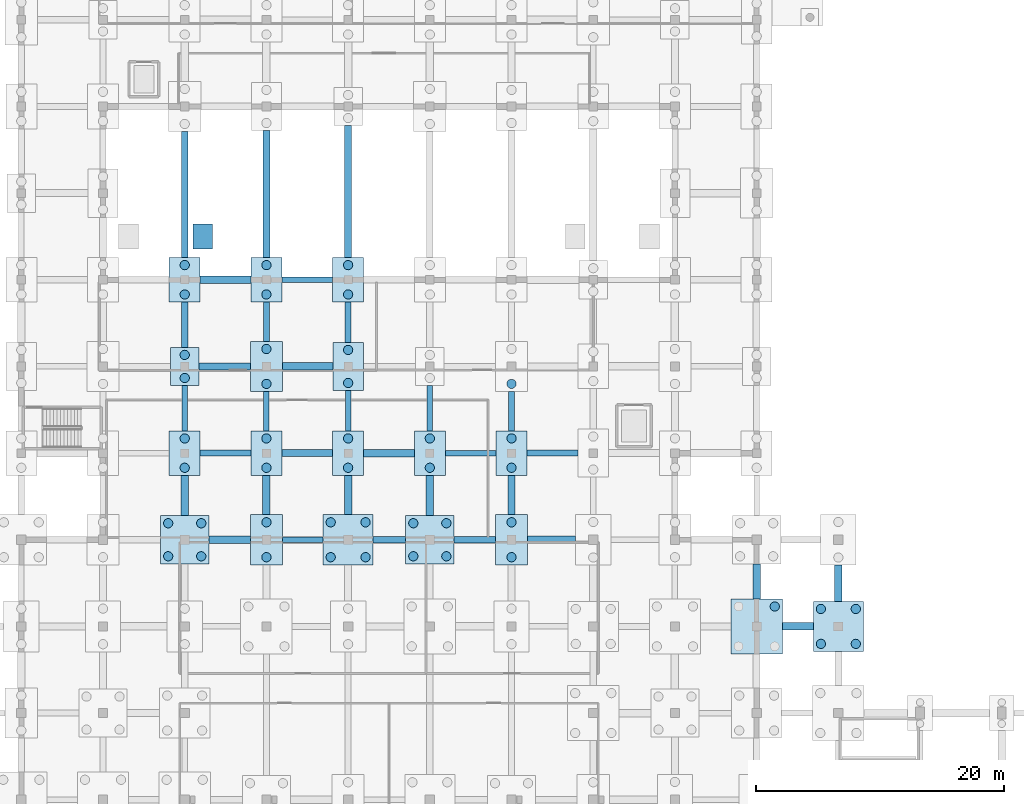
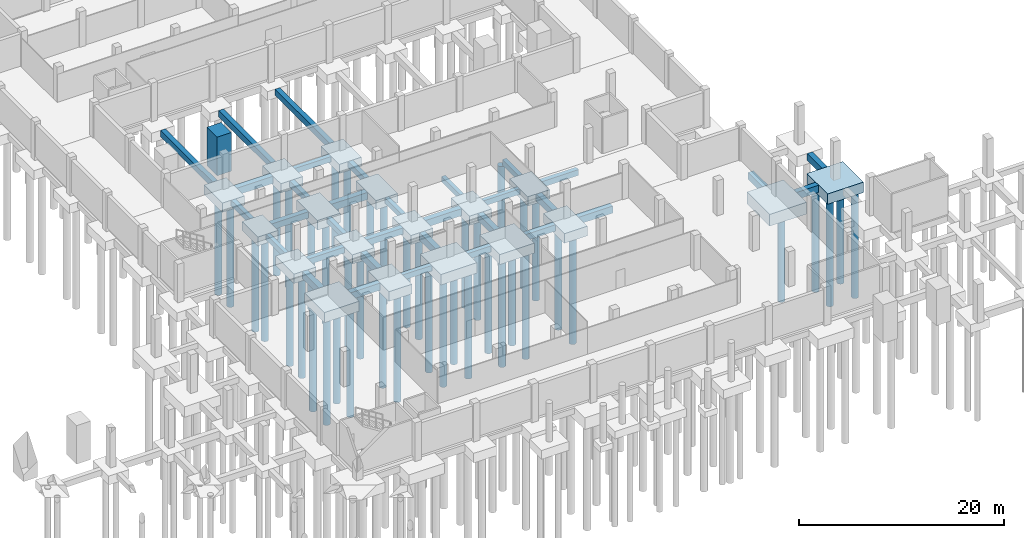
# One storey, part 6 of 27: 52 footings, 44 piles.
"""IFC4 building model written with IfcOpenShell, lengths in metres."""

import ifcopenshell
import ifcopenshell.guid

model = None  # the IFC model being written
_history = None  # IfcOwnerHistory: only IFC2X3 demands one
_inside = {}  # id of a spatial element -> (the spatial element, [elements in it])
_under = {}  # id of a project, library or spatial element -> (it, [spatial elements below it])
_declared = {}  # id of a project -> (the project, [libraries it declares])
_typed = {}  # id of a type object -> (the type object, [elements of that type])
_made_of = {}  # id of a material, layer set ... -> (it, [elements and type objects made of it])


def new_model(schema):
    """Start an empty IFC model of exactly this schema.

    Asked for "IFC4X3", IfcOpenShell would pick the latest addendum, in which some entities
    have other attributes; the version numbers below select the first issue.
    IFC2X3 requires an IfcOwnerHistory on every rooted entity: one is made here for all.
    """
    global model, _history
    if schema == "IFC4X3":
        model = ifcopenshell.file(schema_version=(4, 3, 0, 0))
    else:
        model = ifcopenshell.file(schema=schema)
    _inside.clear()
    _under.clear()
    _declared.clear()
    _typed.clear()
    _made_of.clear()
    _history = None
    if model.schema == "IFC2X3":
        org = make("IfcOrganization", Name="unknown")
        user = make(
            "IfcPersonAndOrganization",
            ThePerson=make("IfcPerson", FamilyName="unknown"),
            TheOrganization=org,
        )
        app = make(
            "IfcApplication",
            ApplicationDeveloper=org,
            Version="unknown",
            ApplicationFullName="unknown",
            ApplicationIdentifier="unknown",
        )
        _history = make(
            "IfcOwnerHistory",
            OwningUser=user,
            OwningApplication=app,
            ChangeAction="ADDED",
            CreationDate=0,
        )
    return model


def make(cls, **values):
    """One entity of the class cls with the attributes given. An attribute that is None is left unset."""
    return model.create_entity(
        cls, **{name: value for name, value in values.items() if value is not None}
    )


def rooted(cls, **values):
    """An entity with a GlobalId (a new one), such as an element, a storey or a relation."""
    return make(cls, GlobalId=ifcopenshell.guid.new(), OwnerHistory=_history, **values)


def si_unit(unit_type, name, prefix=None):
    """IfcSIUnit, for example si_unit("LENGTHUNIT", "METRE", prefix="MILLI")."""
    return make("IfcSIUnit", UnitType=unit_type, Prefix=prefix, Name=name)


def assignment(units):
    """IfcUnitAssignment: the units of a project."""
    return None if units is None else make("IfcUnitAssignment", Units=units)


def point(xyz):
    """IfcCartesianPoint."""
    return None if xyz is None else make("IfcCartesianPoint", Coordinates=xyz)


def direction(xyz):
    """IfcDirection."""
    return None if xyz is None else make("IfcDirection", DirectionRatios=xyz)


def frame(location, z_axis=None, x_axis=None):
    """IfcAxis2Placement3D, a coordinate frame: its origin and axes. An axis left out is left unset."""
    return make(
        "IfcAxis2Placement3D",
        Location=point(location),
        Axis=direction(z_axis),
        RefDirection=direction(x_axis),
    )


def frame_2d(location, x_axis=None):
    """IfcAxis2Placement2D, a coordinate frame in the plane: its origin and x axis."""
    return make(
        "IfcAxis2Placement2D", Location=point(location), RefDirection=direction(x_axis)
    )


def origin():
    """The frame at (0, 0, 0) with its axes left unset."""
    return frame((0.0, 0.0, 0.0))


def origin_2d():
    """The frame at (0, 0) in the plane with its x axis left unset."""
    return frame_2d((0.0, 0.0))


def place(relative_to, where):
    """IfcLocalPlacement: puts the frame where relative to a parent placement (None: the world)."""
    return make(
        "IfcLocalPlacement", PlacementRelTo=relative_to, RelativePlacement=where
    )


def context(
    kind, dimensions, precision=None, world=None, true_north=None, identifier=None
):
    """IfcGeometricRepresentationContext, for example the 3D "Model" context."""
    return make(
        "IfcGeometricRepresentationContext",
        ContextIdentifier=identifier,
        ContextType=kind,
        CoordinateSpaceDimension=dimensions,
        Precision=precision,
        WorldCoordinateSystem=world,
        TrueNorth=true_north,
    )


def subcontext(parent, identifier, kind, view, scale=None):
    """IfcGeometricRepresentationSubContext, for example "Body" below "Model"."""
    return make(
        "IfcGeometricRepresentationSubContext",
        ContextIdentifier=identifier,
        ContextType=kind,
        ParentContext=parent,
        TargetScale=scale,
        TargetView=view,
    )


def project(units=None, contexts=None):
    """IfcProject with its units and contexts."""
    return rooted(
        "IfcProject",
        Name="project",
        RepresentationContexts=contexts,
        UnitsInContext=assignment(units),
    )


def spatial(cls, under=None, at=None, **own):
    """A site, building, storey or space (cls), placed at a placement, below another one or the project."""
    s = rooted(cls, ObjectPlacement=at, **own)
    if under is not None:
        _under.setdefault(under.id(), (under, []))[1].append(s)
    return s


def profile(cls, at=None, kind="AREA", **sizes):
    """A parametric profile (cls). Its sizes go by their IFC names, for example OverallWidth=200.0."""
    return make(cls, ProfileType=kind, Position=at, **sizes)


def rectangle(**sizes):
    """IfcRectangleProfileDef."""
    return profile("IfcRectangleProfileDef", **sizes)


def circle(**sizes):
    """IfcCircleProfileDef."""
    return profile("IfcCircleProfileDef", **sizes)


def extrude(swept, where, along, depth):
    """IfcExtrudedAreaSolid: the profile swept, set in the frame where, extruded along a direction by depth."""
    return make(
        "IfcExtrudedAreaSolid",
        SweptArea=swept,
        Position=where,
        ExtrudedDirection=direction(along),
        Depth=depth,
    )


def shape(context_of_items, identifier, shape_type, items):
    """IfcShapeRepresentation: the items that make up one representation, for example the "Body"."""
    return make(
        "IfcShapeRepresentation",
        ContextOfItems=context_of_items,
        RepresentationIdentifier=identifier,
        RepresentationType=shape_type,
        Items=items,
    )


def material(Name=None, Category=None):
    """IfcMaterial."""
    return make("IfcMaterial", Name=Name, Category=Category)


def material_profile(
    of_material, cross_section, Name=None, Category=None, Priority=None
):
    """IfcMaterialProfile: a cross section and its material."""
    return make(
        "IfcMaterialProfile",
        Name=Name,
        Material=of_material,
        Profile=cross_section,
        Priority=Priority,
        Category=Category,
    )


def profile_set(profiles, Name=None, composite=None):
    """IfcMaterialProfileSet."""
    return make(
        "IfcMaterialProfileSet",
        Name=Name,
        MaterialProfiles=profiles,
        CompositeProfile=composite,
    )


def made_of(thing, what):
    """Note that an element or type object is made of a material, layer set ...; save() writes the relation."""
    if what is not None:
        _made_of.setdefault(what.id(), (what, []))[1].append(thing)
    return thing


def type_object(cls, material=None, **own):
    """A type object (cls), such as IfcWallType, which elements share."""
    return made_of(rooted(cls, **own), material)


def element(
    cls,
    number,
    at=None,
    inside=None,
    cuts=None,
    type_object=None,
    material=None,
    context=None,
    identifier="Body",
    shape_type=None,
    held_by="IfcProductDefinitionShape",
    body=None,
    shapes=None,
    **own,
):
    """One element of the class cls, such as IfcWall. Its Tag is "e" and its number.

    at: its placement. inside: the storey or other place that contains it. cuts: it is an
    opening in that element (IfcRelVoidsElement). A single representation is given by context,
    identifier, shape_type and body (its items); several are given by shapes. held_by: the class
    of the entity that holds the representations. save() writes the other relations.
    """
    e = rooted(cls, Tag="e%d" % number, ObjectPlacement=at, **own)
    if body is not None:
        shapes = [shape(context, identifier, shape_type, body)]
    if shapes is not None:
        e.Representation = make(held_by, Representations=shapes)
    if inside is not None:
        _inside.setdefault(inside.id(), (inside, []))[1].append(e)
    if cuts is not None:
        rooted(
            "IfcRelVoidsElement", RelatingBuildingElement=cuts, RelatedOpeningElement=e
        )
    if type_object is not None:
        _typed.setdefault(type_object.id(), (type_object, []))[1].append(e)
    return made_of(e, material)


def aggregate(whole, parts):
    """IfcRelAggregates: a whole, such as a stair, and the parts it consists of."""
    return rooted("IfcRelAggregates", RelatingObject=whole, RelatedObjects=parts)


def save(model, path):
    """Write the relations noted so far, then the file.

    IfcRelAggregates (storeys below a building ...), IfcRelContainedInSpatialStructure (elements
    in a storey), IfcRelDefinesByType, IfcRelAssociatesMaterial and IfcRelDeclares: one each for
    every whole, place, type object, material and project.
    """
    for whole, parts in _under.values():
        aggregate(whole, parts)
    for where, things in _inside.values():
        rooted(
            "IfcRelContainedInSpatialStructure",
            RelatedElements=things,
            RelatingStructure=where,
        )
    for kind, things in _typed.values():
        rooted("IfcRelDefinesByType", RelatedObjects=things, RelatingType=kind)
    for what, things in _made_of.values():
        rooted("IfcRelAssociatesMaterial", RelatedObjects=things, RelatingMaterial=what)
    for by, libraries in _declared.values():
        rooted("IfcRelDeclares", RelatingContext=by, RelatedDefinitions=libraries)
    model.write(path)


model = new_model("IFC4")

# Units and contexts
model_context = context("Model", 3, precision=1e-05, world=origin(), true_north=direction((0.0, 1.0)))
body_context = subcontext(model_context, "Body", "Model", "MODEL_VIEW")
ifc_project = project(units=[si_unit("LENGTHUNIT", "METRE"), si_unit("AREAUNIT", "SQUARE_METRE"), si_unit("VOLUMEUNIT", "CUBIC_METRE"), si_unit("PLANEANGLEUNIT", "RADIAN"), si_unit("MASSUNIT", "GRAM", prefix="KILO")], contexts=[model_context])

# Site, building, storey
site_placement = place(None, origin())
site = spatial("IfcSite", under=ifc_project, at=site_placement, CompositionType="ELEMENT")
building_placement = place(site_placement, origin())
building = spatial("IfcBuilding", under=site, at=building_placement, Name="Ciguamira Faculty of Natural Sciences", CompositionType="ELEMENT")
storey_placement = place(building_placement, frame((0.0, 0.0, -4.199951171875)))
storey = spatial("IfcBuildingStorey", under=building, at=storey_placement, Name="B1", CompositionType="ELEMENT", Elevation=-4.199951171875)

# Piles
ifc_material = material(Name="Concrete C35/45", Category="concrete")
ifc_material_profile_1 = material_profile(ifc_material, circle(Radius=0.375, at=origin_2d()), Name="PILE-BORED-750")
ifc_profile_set_1 = profile_set([ifc_material_profile_1], Name="Concrete C35/45")
pile_type = type_object("IfcPileType", Name="BoredPile_BP-02_750", PredefinedType="BORED", material=ifc_profile_set_1)
for number, where, z_axis, x_axis, name in (
    (1, (69.1650390625, 36.6650390625, -1.5), (0.0, 0.0, -1.0), (1.0, 0.0, 0.0), "B1 bored pile 070-1"),
    (2, (71.8349609375, 36.6650390625, -1.5), (0.0, 0.0, -1.0), (1.0, 0.0, 0.0), "B1 bored pile 070-2"),
    (3, (69.1650390625, 39.3349609375, -1.5), (0.0, 0.0, -1.0), (1.0, 0.0, 0.0), "B1 bored pile 070-3"),
    (4, (71.8349609375, 39.3349609375, -1.5), (0.0, 0.0, -1.0), (1.0, 0.0, 0.0), "B1 bored pile 070-4"),
):
    element("IfcPile", number, at=place(storey_placement, frame(where, z_axis=z_axis, x_axis=x_axis)), inside=storey, type_object=pile_type, Name=name, PredefinedType="BORED", context=body_context, shape_type="SweptSolid", body=[
        extrude(circle(Radius=0.375, at=origin_2d()), origin(), (0.0, 0.0, 1.0), 12.699951171875),
    ])
for number, where, z_axis, x_axis, name in (
    (5, (70.5, 43.81494140625, -1.400146484375), (0.0, 0.0, -1.0), (1.0, 0.0, 0.0), "B1 bored pile 071-1"),
    (6, (70.5, 46.18505859375, -1.400146484375), (0.0, 0.0, -1.0), (1.0, 0.0, 0.0), "B1 bored pile 071-2"),
):
    element("IfcPile", number, at=place(storey_placement, frame(where, z_axis=z_axis, x_axis=x_axis)), inside=storey, type_object=pile_type, Name=name, PredefinedType="BORED", context=body_context, shape_type="SweptSolid", body=[
        extrude(circle(Radius=0.375, at=origin_2d()), origin(), (0.0, 0.0, 1.0), 12.0),
    ])
for number, where, z_axis, x_axis, name in (
    (7, (70.5, 51.06494140625, -1.35009765625), (0.0, 0.0, -1.0), (1.0, 0.0, 0.0), "B1 bored pile 072-1"),
    (8, (70.5, 52.93505859375, -1.35009765625), (0.0, 0.0, -1.0), (1.0, 0.0, 0.0), "B1 bored pile 072-2"),
):
    element("IfcPile", number, at=place(storey_placement, frame(where, z_axis=z_axis, x_axis=x_axis)), inside=storey, type_object=pile_type, Name=name, PredefinedType="BORED", context=body_context, shape_type="SweptSolid", body=[
        extrude(circle(Radius=0.375, at=origin_2d()), origin(), (0.0, 0.0, 1.0), 12.050048828125),
    ])
for number, where, z_axis, x_axis, name in (
    (9, (70.5, 57.81494140625, -1.400146484375), (0.0, 0.0, -1.0), (1.0, 0.0, 0.0), "B1 bored pile 073-1"),
    (10, (70.5, 60.18505859375, -1.400146484375), (0.0, 0.0, -1.0), (1.0, 0.0, 0.0), "B1 bored pile 073-2"),
):
    element("IfcPile", number, at=place(storey_placement, frame(where, z_axis=z_axis, x_axis=x_axis)), inside=storey, type_object=pile_type, Name=name, PredefinedType="BORED", context=body_context, shape_type="SweptSolid", body=[
        extrude(circle(Radius=0.375, at=origin_2d()), origin(), (0.0, 0.0, 1.0), 12.0),
    ])
for number, where, z_axis, x_axis, name in (
    (11, (77.10009765625, 36.590087890625, -1.449951171875), (0.0, 0.0, -1.0), (1.0, 0.0, 0.0), "B1 bored pile 084-1"),
    (12, (77.10009765625, 39.409912109375, -1.449951171875), (0.0, 0.0, -1.0), (1.0, 0.0, 0.0), "B1 bored pile 084-2"),
):
    element("IfcPile", number, at=place(storey_placement, frame(where, z_axis=z_axis, x_axis=x_axis)), inside=storey, type_object=pile_type, Name=name, PredefinedType="BORED", context=body_context, shape_type="SweptSolid", body=[
        extrude(circle(Radius=0.375, at=origin_2d()), origin(), (0.0, 0.0, 1.0), 12.75),
    ])
for number, where, z_axis, x_axis, name in (
    (13, (77.10009765625, 43.81494140625, -1.400146484375), (0.0, 0.0, -1.0), (1.0, 0.0, 0.0), "B1 bored pile 085-1"),
    (14, (77.10009765625, 46.18505859375, -1.400146484375), (0.0, 0.0, -1.0), (1.0, 0.0, 0.0), "B1 bored pile 085-2"),
):
    element("IfcPile", number, at=place(storey_placement, frame(where, z_axis=z_axis, x_axis=x_axis)), inside=storey, type_object=pile_type, Name=name, PredefinedType="BORED", context=body_context, shape_type="SweptSolid", body=[
        extrude(circle(Radius=0.375, at=origin_2d()), origin(), (0.0, 0.0, 1.0), 12.0),
    ])
for number, where, z_axis, x_axis, name in (
    (15, (77.10009765625, 50.590087890625, -1.449951171875), (0.0, 0.0, -1.0), (1.0, 0.0, 0.0), "B1 bored pile 086-1"),
    (16, (77.10009765625, 53.409912109375, -1.449951171875), (0.0, 0.0, -1.0), (1.0, 0.0, 0.0), "B1 bored pile 086-2"),
):
    element("IfcPile", number, at=place(storey_placement, frame(where, z_axis=z_axis, x_axis=x_axis)), inside=storey, type_object=pile_type, Name=name, PredefinedType="BORED", context=body_context, shape_type="SweptSolid", body=[
        extrude(circle(Radius=0.375, at=origin_2d()), origin(), (0.0, 0.0, 1.0), 11.949951171875),
    ])
for number, where, z_axis, x_axis, name in (
    (17, (77.10009765625, 57.81494140625, -1.400146484375), (0.0, 0.0, -1.0), (1.0, 0.0, 0.0), "B1 bored pile 087-1"),
    (18, (77.10009765625, 60.18505859375, -1.400146484375), (0.0, 0.0, -1.0), (1.0, 0.0, 0.0), "B1 bored pile 087-2"),
):
    element("IfcPile", number, at=place(storey_placement, frame(where, z_axis=z_axis, x_axis=x_axis)), inside=storey, type_object=pile_type, Name=name, PredefinedType="BORED", context=body_context, shape_type="SweptSolid", body=[
        extrude(circle(Radius=0.375, at=origin_2d()), origin(), (0.0, 0.0, 1.0), 12.0),
    ])
for number, where, z_axis, x_axis, name in (
    (19, (82.2900390625, 36.590087890625, -1.550048828125), (0.0, 0.0, -1.0), (1.0, 0.0, 0.0), "B1 bored pile 098-1"),
    (20, (85.110107421875, 36.590087890625, -1.550048828125), (0.0, 0.0, -1.0), (1.0, 0.0, 0.0), "B1 bored pile 098-2"),
    (21, (82.2900390625, 39.409912109375, -1.550048828125), (0.0, 0.0, -1.0), (1.0, 0.0, 0.0), "B1 bored pile 098-3"),
    (22, (85.110107421875, 39.409912109375, -1.550048828125), (0.0, 0.0, -1.0), (1.0, 0.0, 0.0), "B1 bored pile 098-4"),
):
    element("IfcPile", number, at=place(storey_placement, frame(where, z_axis=z_axis, x_axis=x_axis)), inside=storey, type_object=pile_type, Name=name, PredefinedType="BORED", context=body_context, shape_type="SweptSolid", body=[
        extrude(circle(Radius=0.375, at=origin_2d()), origin(), (0.0, 0.0, 1.0), 12.64990234375),
    ])
for number, where, z_axis, x_axis, name in (
    (23, (83.699951171875, 43.81494140625, -1.400146484375), (0.0, 0.0, -1.0), (1.0, 0.0, 0.0), "B1 bored pile 099-1"),
    (24, (83.699951171875, 46.18505859375, -1.400146484375), (0.0, 0.0, -1.0), (1.0, 0.0, 0.0), "B1 bored pile 099-2"),
    (25, (83.699951171875, 50.6650390625, -1.400146484375), (0.0, 0.0, -1.0), (1.0, 0.0, 0.0), "B1 bored pile 100-1"),
    (26, (83.699951171875, 53.3349609375, -1.400146484375), (0.0, 0.0, -1.0), (1.0, 0.0, 0.0), "B1 bored pile 100-2"),
    (27, (83.699951171875, 57.81494140625, -1.400146484375), (0.0, 0.0, -1.0), (1.0, 0.0, 0.0), "B1 bored pile 101-1"),
    (28, (83.699951171875, 60.18505859375, -1.400146484375), (0.0, 0.0, -1.0), (1.0, 0.0, 0.0), "B1 bored pile 101-2"),
):
    element("IfcPile", number, at=place(storey_placement, frame(where, z_axis=z_axis, x_axis=x_axis)), inside=storey, type_object=pile_type, Name=name, PredefinedType="BORED", context=body_context, shape_type="SweptSolid", body=[
        extrude(circle(Radius=0.375, at=origin_2d()), origin(), (0.0, 0.0, 1.0), 12.0),
    ])
for number, where, z_axis, x_axis, name in (
    (29, (88.965087890625, 36.6650390625, -1.5), (0.0, 0.0, -1.0), (1.0, 0.0, 0.0), "B1 bored pile 112-1"),
    (30, (91.635009765625, 36.6650390625, -1.5), (0.0, 0.0, -1.0), (1.0, 0.0, 0.0), "B1 bored pile 112-2"),
    (31, (88.965087890625, 39.3349609375, -1.5), (0.0, 0.0, -1.0), (1.0, 0.0, 0.0), "B1 bored pile 112-3"),
    (32, (91.635009765625, 39.3349609375, -1.5), (0.0, 0.0, -1.0), (1.0, 0.0, 0.0), "B1 bored pile 112-4"),
):
    element("IfcPile", number, at=place(storey_placement, frame(where, z_axis=z_axis, x_axis=x_axis)), inside=storey, type_object=pile_type, Name=name, PredefinedType="BORED", context=body_context, shape_type="SweptSolid", body=[
        extrude(circle(Radius=0.375, at=origin_2d()), origin(), (0.0, 0.0, 1.0), 12.699951171875),
    ])
for number, where, z_axis, x_axis, name in (
    (33, (90.300048828125, 43.81494140625, -1.400146484375), (0.0, 0.0, -1.0), (1.0, 0.0, 0.0), "B1 bored pile 113-1"),
    (34, (90.300048828125, 46.18505859375, -1.400146484375), (0.0, 0.0, -1.0), (1.0, 0.0, 0.0), "B1 bored pile 113-2"),
):
    element("IfcPile", number, at=place(storey_placement, frame(where, z_axis=z_axis, x_axis=x_axis)), inside=storey, type_object=pile_type, Name=name, PredefinedType="BORED", context=body_context, shape_type="SweptSolid", body=[
        extrude(circle(Radius=0.375, at=origin_2d()), origin(), (0.0, 0.0, 1.0), 12.0),
    ])
for number, where, z_axis, x_axis, name in (
    (35, (96.89990234375, 36.590087890625, -1.449951171875), (0.0, 0.0, -1.0), (1.0, 0.0, 0.0), "B1 bored pile 126-1"),
    (36, (96.89990234375, 39.409912109375, -1.449951171875), (0.0, 0.0, -1.0), (1.0, 0.0, 0.0), "B1 bored pile 126-2"),
):
    element("IfcPile", number, at=place(storey_placement, frame(where, z_axis=z_axis, x_axis=x_axis)), inside=storey, type_object=pile_type, Name=name, PredefinedType="BORED", context=body_context, shape_type="SweptSolid", body=[
        extrude(circle(Radius=0.375, at=origin_2d()), origin(), (0.0, 0.0, 1.0), 12.75),
    ])
for number, where, z_axis, x_axis, name in (
    (37, (96.89990234375, 43.81494140625, -1.400146484375), (0.0, 0.0, -1.0), (1.0, 0.0, 0.0), "B1 bored pile 127-1"),
    (38, (96.89990234375, 46.18505859375, -1.400146484375), (0.0, 0.0, -1.0), (1.0, 0.0, 0.0), "B1 bored pile 127-2"),
):
    element("IfcPile", number, at=place(storey_placement, frame(where, z_axis=z_axis, x_axis=x_axis)), inside=storey, type_object=pile_type, Name=name, PredefinedType="BORED", context=body_context, shape_type="SweptSolid", body=[
        extrude(circle(Radius=0.375, at=origin_2d()), origin(), (0.0, 0.0, 1.0), 12.0),
    ])
pile_1_placement = place(storey_placement, frame((96.89990234375, 50.590087890625, -1.449951171875), z_axis=(0.0, 0.0, -1.0), x_axis=(1.0, 0.0, 0.0)))
element("IfcPile", 39, at=pile_1_placement, inside=storey, type_object=pile_type, Name="B1 bored pile 128-1", PredefinedType="BORED", context=body_context, shape_type="SweptSolid", body=[
    extrude(circle(Radius=0.375, at=origin_2d()), origin(), (0.0, 0.0, 1.0), 11.949951171875),
])
pile_2_placement = place(storey_placement, frame((118.159912109375, 32.610107421875, -1.699951171875), z_axis=(0.0, 0.0, -1.0), x_axis=(1.0, 0.0, 0.0)))
element("IfcPile", 40, at=pile_2_placement, inside=storey, type_object=pile_type, Name="B1 bored pile 171-4", PredefinedType="BORED", context=body_context, shape_type="SweptSolid", body=[
    extrude(circle(Radius=0.375, at=origin_2d()), origin(), (0.0, 0.0, 1.0), 12.5),
])
for number, where, z_axis, x_axis, name in (
    (41, (121.889892578125, 29.590087890625, -1.550048828125), (0.0, 0.0, -1.0), (1.0, 0.0, 0.0), "B1 bored pile 188-1"),
    (42, (124.7099609375, 29.590087890625, -1.550048828125), (0.0, 0.0, -1.0), (1.0, 0.0, 0.0), "B1 bored pile 188-2"),
    (43, (121.889892578125, 32.409912109375, -1.550048828125), (0.0, 0.0, -1.0), (1.0, 0.0, 0.0), "B1 bored pile 188-3"),
    (44, (124.7099609375, 32.409912109375, -1.550048828125), (0.0, 0.0, -1.0), (1.0, 0.0, 0.0), "B1 bored pile 188-4"),
):
    element("IfcPile", number, at=place(storey_placement, frame(where, z_axis=z_axis, x_axis=x_axis)), inside=storey, type_object=pile_type, Name=name, PredefinedType="BORED", context=body_context, shape_type="SweptSolid", body=[
        extrude(circle(Radius=0.375, at=origin_2d()), origin(), (0.0, 0.0, 1.0), 12.64990234375),
    ])

# Footings
ifc_material_profile_2 = material_profile(ifc_material, rectangle(XDim=0.449951171875, YDim=0.64990234375, at=origin_2d()), Name="RC-FB-450X650")
ifc_profile_set_2 = profile_set([ifc_material_profile_2], Name="Concrete C35/45")
footing_type_1 = type_object("IfcFootingType", Name="FootingBeam_FB-01_450x650", PredefinedType="FOOTING_BEAM", material=ifc_profile_set_2)
footing_1_placement = place(storey_placement, frame((78.39990234375, 38.0, -0.72509765625), z_axis=(1.0, 0.0, 0.0), x_axis=(0.0, 1.0, 0.0)))
element("IfcFooting", 45, at=footing_1_placement, inside=storey, type_object=footing_type_1, Name="B1 ground tie beam 0093", PredefinedType="FOOTING_BEAM", context=body_context, shape_type="SweptSolid", body=[
    extrude(rectangle(XDim=0.449951171875, YDim=0.64990234375, at=origin_2d()), origin(), (0.0, 0.0, 1.0), 3.275146484375),
])
for number, where, z_axis, x_axis, name in (
    (46, (91.550048828125, 45.0, -0.72509765625), (1.0, 0.0, 0.0), (0.0, 1.0, 0.0), "B1 ground tie beam 0105"),
    (47, (78.35009765625, 59.0, -0.72509765625), (1.0, 0.0, 0.0), (0.0, 1.0, 0.0), "B1 ground tie beam 0121"),
):
    element("IfcFooting", number, at=place(storey_placement, frame(where, z_axis=z_axis, x_axis=x_axis)), inside=storey, type_object=footing_type_1, Name=name, PredefinedType="FOOTING_BEAM", context=body_context, shape_type="SweptSolid", body=[
        extrude(rectangle(XDim=0.449951171875, YDim=0.64990234375, at=origin_2d()), origin(), (0.0, 0.0, 1.0), 4.099853515625),
    ])
footing_2_placement = place(storey_placement, frame((70.5, 46.800048828125, -0.72509765625), z_axis=(0.0, 1.0, 0.0), x_axis=(-1.0, 0.0, 0.0)))
element("IfcFooting", 48, at=footing_2_placement, inside=storey, type_object=footing_type_1, Name="B1 ground tie beam 0253", PredefinedType="FOOTING_BEAM", context=body_context, shape_type="SweptSolid", body=[
    extrude(rectangle(XDim=0.449951171875, YDim=0.64990234375, at=origin_2d()), origin(), (0.0, 0.0, 1.0), 3.64990234375),
])
footing_3_placement = place(storey_placement, frame((77.10009765625, 46.800048828125, -0.72509765625), z_axis=(0.0, 1.0, 0.0), x_axis=(-1.0, 0.0, 0.0)))
element("IfcFooting", 49, at=footing_3_placement, inside=storey, type_object=footing_type_1, Name="B1 ground tie beam 0265", PredefinedType="FOOTING_BEAM", context=body_context, shape_type="SweptSolid", body=[
    extrude(rectangle(XDim=0.449951171875, YDim=0.64990234375, at=origin_2d()), origin(), (0.0, 0.0, 1.0), 3.175048828125),
])
footing_4_placement = place(storey_placement, frame((83.699951171875, 46.800048828125, -0.72509765625), z_axis=(0.0, 1.0, 0.0), x_axis=(-1.0, 0.0, 0.0)))
element("IfcFooting", 50, at=footing_4_placement, inside=storey, type_object=footing_type_1, Name="B1 ground tie beam 0277", PredefinedType="FOOTING_BEAM", context=body_context, shape_type="SweptSolid", body=[
    extrude(rectangle(XDim=0.449951171875, YDim=0.64990234375, at=origin_2d()), origin(), (0.0, 0.0, 1.0), 3.25),
])
footing_5_placement = place(storey_placement, frame((90.300048828125, 46.800048828125, -0.72509765625), z_axis=(0.0, 1.0, 0.0), x_axis=(-1.0, 0.0, 0.0)))
element("IfcFooting", 51, at=footing_5_placement, inside=storey, type_object=footing_type_1, Name="B1 ground tie beam 0289", PredefinedType="FOOTING_BEAM", context=body_context, shape_type="SweptSolid", body=[
    extrude(rectangle(XDim=0.449951171875, YDim=0.64990234375, at=origin_2d()), origin(), (0.0, 0.0, 1.0), 3.64990234375),
])
footing_6_placement = place(storey_placement, frame((96.89990234375, 46.800048828125, -0.72509765625), z_axis=(0.0, 1.0, 0.0), x_axis=(-1.0, 0.0, 0.0)))
element("IfcFooting", 52, at=footing_6_placement, inside=storey, type_object=footing_type_1, Name="B1 ground tie beam 0301", PredefinedType="FOOTING_BEAM", context=body_context, shape_type="SweptSolid", body=[
    extrude(rectangle(XDim=0.449951171875, YDim=0.64990234375, at=origin_2d()), origin(), (0.0, 0.0, 1.0), 3.175048828125),
])
ifc_material_profile_3 = material_profile(ifc_material, rectangle(XDim=0.5, YDim=0.699951171875, at=origin_2d()), Name="RC-FB-500X700")
ifc_profile_set_3 = profile_set([ifc_material_profile_3], Name="Concrete C35/45")
footing_type_2 = type_object("IfcFootingType", Name="FootingBeam_FB-02_500x700", PredefinedType="FOOTING_BEAM", material=ifc_profile_set_3)
footing_7_placement = place(storey_placement, frame((85.72509765625, 38.0, -0.75), z_axis=(1.0, 0.0, 0.0), x_axis=(0.0, 1.0, 0.0)))
element("IfcFooting", 53, at=footing_7_placement, inside=storey, type_object=footing_type_2, Name="B1 ground tie beam 0094", PredefinedType="FOOTING_BEAM", context=body_context, shape_type="SweptSolid", body=[
    extrude(rectangle(XDim=0.5, YDim=0.699951171875, at=origin_2d()), origin(), (0.0, 0.0, 1.0), 2.625),
])
footing_8_placement = place(storey_placement, frame((71.75, 45.0, -0.75), z_axis=(1.0, 0.0, 0.0), x_axis=(0.0, 1.0, 0.0)))
element("IfcFooting", 54, at=footing_8_placement, inside=storey, type_object=footing_type_2, Name="B1 ground tie beam 0102", PredefinedType="FOOTING_BEAM", context=body_context, shape_type="SweptSolid", body=[
    extrude(rectangle(XDim=0.5, YDim=0.699951171875, at=origin_2d()), origin(), (0.0, 0.0, 1.0), 4.10009765625),
])
footing_9_placement = place(storey_placement, frame((98.14990234375, 45.0, -0.75), z_axis=(1.0, 0.0, 0.0), x_axis=(0.0, 1.0, 0.0)))
element("IfcFooting", 55, at=footing_9_placement, inside=storey, type_object=footing_type_2, Name="B1 ground tie beam 0106", PredefinedType="FOOTING_BEAM", context=body_context, shape_type="SweptSolid", body=[
    extrude(rectangle(XDim=0.5, YDim=0.699951171875, at=origin_2d()), origin(), (0.0, 0.0, 1.0), 4.125),
])
footing_10_placement = place(storey_placement, frame((70.5, 53.550048828125, -0.75), z_axis=(0.0, 1.0, 0.0), x_axis=(-1.0, 0.0, 0.0)))
element("IfcFooting", 56, at=footing_10_placement, inside=storey, type_object=footing_type_2, Name="B1 ground tie beam 0254", PredefinedType="FOOTING_BEAM", context=body_context, shape_type="SweptSolid", body=[
    extrude(rectangle(XDim=0.5, YDim=0.699951171875, at=origin_2d()), origin(), (0.0, 0.0, 1.0), 3.64990234375),
])
footing_11_placement = place(storey_placement, frame((77.10009765625, 54.02490234375, -0.75), z_axis=(0.0, 1.0, 0.0), x_axis=(-1.0, 0.0, 0.0)))
element("IfcFooting", 57, at=footing_11_placement, inside=storey, type_object=footing_type_2, Name="B1 ground tie beam 0266", PredefinedType="FOOTING_BEAM", context=body_context, shape_type="SweptSolid", body=[
    extrude(rectangle(XDim=0.5, YDim=0.699951171875, at=origin_2d()), origin(), (0.0, 0.0, 1.0), 3.175048828125),
])
footing_12_placement = place(storey_placement, frame((83.699951171875, 53.949951171875, -0.75), z_axis=(0.0, 1.0, 0.0), x_axis=(-1.0, 0.0, 0.0)))
element("IfcFooting", 58, at=footing_12_placement, inside=storey, type_object=footing_type_2, Name="B1 ground tie beam 0278", PredefinedType="FOOTING_BEAM", context=body_context, shape_type="SweptSolid", body=[
    extrude(rectangle(XDim=0.5, YDim=0.699951171875, at=origin_2d()), origin(), (0.0, 0.0, 1.0), 3.25),
])
ifc_material_profile_4 = material_profile(ifc_material, rectangle(XDim=0.550048828125, YDim=0.75, at=origin_2d()), Name="RC-FB-550X750")
ifc_profile_set_4 = profile_set([ifc_material_profile_4], Name="Concrete C35/45")
footing_type_3 = type_object("IfcFootingType", Name="FootingBeam_FB-03_550x750", PredefinedType="FOOTING_BEAM", material=ifc_profile_set_4)
footing_13_placement = place(storey_placement, frame((92.25, 38.0, -0.775146484375), z_axis=(1.0, 0.0, 0.0), x_axis=(0.0, 1.0, 0.0)))
element("IfcFooting", 59, at=footing_13_placement, inside=storey, type_object=footing_type_3, Name="B1 ground tie beam 0095", PredefinedType="FOOTING_BEAM", context=body_context, shape_type="SweptSolid", body=[
    extrude(rectangle(XDim=0.550048828125, YDim=0.75, at=origin_2d()), origin(), (0.0, 0.0, 1.0), 3.35009765625),
])
footing_14_placement = place(storey_placement, frame((78.35009765625, 45.0, -0.775146484375), z_axis=(1.0, 0.0, 0.0), x_axis=(0.0, 1.0, 0.0)))
element("IfcFooting", 60, at=footing_14_placement, inside=storey, type_object=footing_type_3, Name="B1 ground tie beam 0103", PredefinedType="FOOTING_BEAM", context=body_context, shape_type="SweptSolid", body=[
    extrude(rectangle(XDim=0.550048828125, YDim=0.75, at=origin_2d()), origin(), (0.0, 0.0, 1.0), 4.099853515625),
])
footing_15_placement = place(storey_placement, frame((71.64990234375, 52.0, -0.775146484375), z_axis=(1.0, 0.0, 0.0), x_axis=(0.0, 1.0, 0.0)))
element("IfcFooting", 61, at=footing_15_placement, inside=storey, type_object=footing_type_3, Name="B1 ground tie beam 0111", PredefinedType="FOOTING_BEAM", context=body_context, shape_type="SweptSolid", body=[
    extrude(rectangle(XDim=0.550048828125, YDim=0.75, at=origin_2d()), origin(), (0.0, 0.0, 1.0), 4.150146484375),
])
footing_16_placement = place(storey_placement, frame((70.5, 60.800048828125, -0.775146484375), z_axis=(0.0, 1.0, 0.0), x_axis=(-1.0, 0.0, 0.0)))
element("IfcFooting", 62, at=footing_16_placement, inside=storey, type_object=footing_type_3, Name="B1 ground tie beam 0255", PredefinedType="FOOTING_BEAM", context=body_context, shape_type="SweptSolid", body=[
    extrude(rectangle(XDim=0.550048828125, YDim=0.75, at=origin_2d()), origin(), (0.0, 0.0, 1.0), 10.175048828125),
])
footing_17_placement = place(storey_placement, frame((77.10009765625, 60.800048828125, -0.775146484375), z_axis=(0.0, 1.0, 0.0), x_axis=(-1.0, 0.0, 0.0)))
element("IfcFooting", 63, at=footing_17_placement, inside=storey, type_object=footing_type_3, Name="B1 ground tie beam 0267", PredefinedType="FOOTING_BEAM", context=body_context, shape_type="SweptSolid", body=[
    extrude(rectangle(XDim=0.550048828125, YDim=0.75, at=origin_2d()), origin(), (0.0, 0.0, 1.0), 10.25),
])
footing_18_placement = place(storey_placement, frame((83.699951171875, 60.800048828125, -0.775146484375), z_axis=(0.0, 1.0, 0.0), x_axis=(-1.0, 0.0, 0.0)))
element("IfcFooting", 64, at=footing_18_placement, inside=storey, type_object=footing_type_3, Name="B1 ground tie beam 0279", PredefinedType="FOOTING_BEAM", context=body_context, shape_type="SweptSolid", body=[
    extrude(rectangle(XDim=0.550048828125, YDim=0.75, at=origin_2d()), origin(), (0.0, 0.0, 1.0), 10.64990234375),
])
ifc_material_profile_5 = material_profile(ifc_material, rectangle(XDim=0.60009765625, YDim=0.85009765625, at=origin_2d()), Name="RC-FB-600X850")
ifc_profile_set_5 = profile_set([ifc_material_profile_5], Name="Concrete C35/45")
footing_type_4 = type_object("IfcFootingType", Name="FootingBeam_FB-04_600x850", PredefinedType="FOOTING_BEAM", material=ifc_profile_set_5)
footing_19_placement = place(storey_placement, frame((118.77490234375, 31.0, -0.824951171875), z_axis=(1.0, 0.0, 0.0), x_axis=(0.0, 1.0, 0.0)))
element("IfcFooting", 65, at=footing_19_placement, inside=storey, type_object=footing_type_4, Name="B1 ground tie beam 0088", PredefinedType="FOOTING_BEAM", context=body_context, shape_type="SweptSolid", body=[
    extrude(rectangle(XDim=0.60009765625, YDim=0.85009765625, at=origin_2d()), origin(), (0.0, 0.0, 1.0), 2.5),
])
footing_20_placement = place(storey_placement, frame((72.449951171875, 38.0, -0.824951171875), z_axis=(1.0, 0.0, 0.0), x_axis=(0.0, 1.0, 0.0)))
element("IfcFooting", 66, at=footing_20_placement, inside=storey, type_object=footing_type_4, Name="B1 ground tie beam 0092", PredefinedType="FOOTING_BEAM", context=body_context, shape_type="SweptSolid", body=[
    extrude(rectangle(XDim=0.60009765625, YDim=0.85009765625, at=origin_2d()), origin(), (0.0, 0.0, 1.0), 3.35009765625),
])
footing_21_placement = place(storey_placement, frame((98.199951171875, 38.0, -0.824951171875), z_axis=(1.0, 0.0, 0.0), x_axis=(0.0, 1.0, 0.0)))
element("IfcFooting", 67, at=footing_21_placement, inside=storey, type_object=footing_type_4, Name="B1 ground tie beam 0096", PredefinedType="FOOTING_BEAM", context=body_context, shape_type="SweptSolid", body=[
    extrude(rectangle(XDim=0.60009765625, YDim=0.85009765625, at=origin_2d()), origin(), (0.0, 0.0, 1.0), 3.875),
])
footing_22_placement = place(storey_placement, frame((84.949951171875, 45.0, -0.824951171875), z_axis=(1.0, 0.0, 0.0), x_axis=(0.0, 1.0, 0.0)))
element("IfcFooting", 68, at=footing_22_placement, inside=storey, type_object=footing_type_4, Name="B1 ground tie beam 0104", PredefinedType="FOOTING_BEAM", context=body_context, shape_type="SweptSolid", body=[
    extrude(rectangle(XDim=0.60009765625, YDim=0.85009765625, at=origin_2d()), origin(), (0.0, 0.0, 1.0), 4.10009765625),
])
footing_23_placement = place(storey_placement, frame((78.39990234375, 52.0, -0.824951171875), z_axis=(1.0, 0.0, 0.0), x_axis=(0.0, 1.0, 0.0)))
element("IfcFooting", 69, at=footing_23_placement, inside=storey, type_object=footing_type_4, Name="B1 ground tie beam 0112", PredefinedType="FOOTING_BEAM", context=body_context, shape_type="SweptSolid", body=[
    extrude(rectangle(XDim=0.60009765625, YDim=0.85009765625, at=origin_2d()), origin(), (0.0, 0.0, 1.0), 4.0751953125),
])
footing_24_placement = place(storey_placement, frame((71.75, 59.0, -0.824951171875), z_axis=(1.0, 0.0, 0.0), x_axis=(0.0, 1.0, 0.0)))
element("IfcFooting", 70, at=footing_24_placement, inside=storey, type_object=footing_type_4, Name="B1 ground tie beam 0120", PredefinedType="FOOTING_BEAM", context=body_context, shape_type="SweptSolid", body=[
    extrude(rectangle(XDim=0.60009765625, YDim=0.85009765625, at=origin_2d()), origin(), (0.0, 0.0, 1.0), 4.10009765625),
])
footing_25_placement = place(storey_placement, frame((70.5, 39.949951171875, -0.824951171875), z_axis=(0.0, 1.0, 0.0), x_axis=(-1.0, 0.0, 0.0)))
element("IfcFooting", 71, at=footing_25_placement, inside=storey, type_object=footing_type_4, Name="B1 ground tie beam 0252", PredefinedType="FOOTING_BEAM", context=body_context, shape_type="SweptSolid", body=[
    extrude(rectangle(XDim=0.60009765625, YDim=0.85009765625, at=origin_2d()), origin(), (0.0, 0.0, 1.0), 3.25),
])
for number, where, z_axis, x_axis, name in (
    (72, (77.10009765625, 40.02490234375, -0.824951171875), (0.0, 1.0, 0.0), (-1.0, 0.0, 0.0), "B1 ground tie beam 0264"),
    (73, (83.699951171875, 40.02490234375, -0.824951171875), (0.0, 1.0, 0.0), (-1.0, 0.0, 0.0), "B1 ground tie beam 0276"),
):
    element("IfcFooting", number, at=place(storey_placement, frame(where, z_axis=z_axis, x_axis=x_axis)), inside=storey, type_object=footing_type_4, Name=name, PredefinedType="FOOTING_BEAM", context=body_context, shape_type="SweptSolid", body=[
        extrude(rectangle(XDim=0.60009765625, YDim=0.85009765625, at=origin_2d()), origin(), (0.0, 0.0, 1.0), 3.175048828125),
    ])
footing_26_placement = place(storey_placement, frame((90.300048828125, 39.949951171875, -0.824951171875), z_axis=(0.0, 1.0, 0.0), x_axis=(-1.0, 0.0, 0.0)))
element("IfcFooting", 74, at=footing_26_placement, inside=storey, type_object=footing_type_4, Name="B1 ground tie beam 0288", PredefinedType="FOOTING_BEAM", context=body_context, shape_type="SweptSolid", body=[
    extrude(rectangle(XDim=0.60009765625, YDim=0.85009765625, at=origin_2d()), origin(), (0.0, 0.0, 1.0), 3.25),
])
footing_27_placement = place(storey_placement, frame((96.89990234375, 40.02490234375, -0.824951171875), z_axis=(0.0, 1.0, 0.0), x_axis=(-1.0, 0.0, 0.0)))
element("IfcFooting", 75, at=footing_27_placement, inside=storey, type_object=footing_type_4, Name="B1 ground tie beam 0300", PredefinedType="FOOTING_BEAM", context=body_context, shape_type="SweptSolid", body=[
    extrude(rectangle(XDim=0.60009765625, YDim=0.85009765625, at=origin_2d()), origin(), (0.0, 0.0, 1.0), 3.175048828125),
])
footing_28_placement = place(storey_placement, frame((116.699951171875, 33.22509765625, -0.824951171875), z_axis=(0.0, 1.0, 0.0), x_axis=(-1.0, 0.0, 0.0)))
element("IfcFooting", 76, at=footing_28_placement, inside=storey, type_object=footing_type_4, Name="B1 ground tie beam 0340", PredefinedType="FOOTING_BEAM", context=body_context, shape_type="SweptSolid", body=[
    extrude(rectangle(XDim=0.60009765625, YDim=0.85009765625, at=origin_2d()), origin(), (0.0, 0.0, 1.0), 2.824951171875),
])
footing_29_placement = place(storey_placement, frame((123.300048828125, 33.02490234375, -0.824951171875), z_axis=(0.0, 1.0, 0.0), x_axis=(-1.0, 0.0, 0.0)))
element("IfcFooting", 77, at=footing_29_placement, inside=storey, type_object=footing_type_4, Name="B1 ground tie beam 0356", PredefinedType="FOOTING_BEAM", context=body_context, shape_type="SweptSolid", body=[
    extrude(rectangle(XDim=0.60009765625, YDim=0.85009765625, at=origin_2d()), origin(), (0.0, 0.0, 1.0), 2.925048828125),
])
footing_type_5 = type_object("IfcFootingType", Name="PileCap_PC-03_230x310x105", PredefinedType="PILE_CAP", material=ifc_material)
footing_30_placement = place(storey_placement, frame((70.5, 52.0, -1.4501953125), z_axis=(0.0, 0.0, 1.0), x_axis=(1.0, 0.0, 0.0)))
element("IfcFooting", 78, at=footing_30_placement, inside=storey, type_object=footing_type_5, Name="B1 pile cap PC-03 at (70.5, 52.0)", PredefinedType="PILE_CAP", context=body_context, shape_type="SweptSolid", body=[
    extrude(rectangle(XDim=2.300048828125, YDim=3.10009765625, at=origin_2d()), origin(), (0.0, 0.0, 1.0), 1.050048828125),
])
footing_type_6 = type_object("IfcFootingType", Name="PileCap_PC-04_245x390x110", PredefinedType="PILE_CAP", material=ifc_material)
footing_31_placement = place(storey_placement, frame((83.699951171875, 52.0, -1.5), z_axis=(0.0, 0.0, 1.0), x_axis=(1.0, 0.0, 0.0)))
element("IfcFooting", 79, at=footing_31_placement, inside=storey, type_object=footing_type_6, Name="B1 pile cap PC-04 at (83.7, 52.0)", PredefinedType="PILE_CAP", context=body_context, shape_type="SweptSolid", body=[
    extrude(rectangle(XDim=2.449951171875, YDim=3.89990234375, at=origin_2d()), origin(), (0.0, 0.0, 1.0), 1.10009765625),
])
footing_type_7 = type_object("IfcFootingType", Name="PileCap_PC-05_260x405x115", PredefinedType="PILE_CAP", material=ifc_material)
for number, where, z_axis, x_axis, name in (
    (80, (77.10009765625, 38.0, -1.550048828125), (0.0, 0.0, 1.0), (1.0, 0.0, 0.0), "B1 pile cap PC-05 at (77.1, 38.0)"),
    (81, (77.10009765625, 52.0, -1.550048828125), (0.0, 0.0, 1.0), (1.0, 0.0, 0.0), "B1 pile cap PC-05 at (77.1, 52.0)"),
    (82, (96.89990234375, 38.0, -1.550048828125), (0.0, 0.0, 1.0), (1.0, 0.0, 0.0), "B1 pile cap PC-05 at (96.9, 38.0)"),
):
    element("IfcFooting", number, at=place(storey_placement, frame(where, z_axis=z_axis, x_axis=x_axis)), inside=storey, type_object=footing_type_7, Name=name, PredefinedType="PILE_CAP", context=body_context, shape_type="SweptSolid", body=[
        extrude(rectangle(XDim=2.60009765625, YDim=4.050048828125, at=origin_2d()), origin(), (0.0, 0.0, 1.0), 1.14990234375),
    ])
footing_type_8 = type_object("IfcFootingType", Name="PileCap_PC-06_390x390x120", PredefinedType="PILE_CAP", material=ifc_material)
for number, where, z_axis, x_axis, name in (
    (83, (70.5, 38.0, -1.60009765625), (0.0, 0.0, 1.0), (1.0, 0.0, 0.0), "B1 pile cap PC-06 at (70.5, 38.0)"),
    (84, (90.300048828125, 38.0, -1.60009765625), (0.0, 0.0, 1.0), (1.0, 0.0, 0.0), "B1 pile cap PC-06 at (90.3, 38.0)"),
):
    element("IfcFooting", number, at=place(storey_placement, frame(where, z_axis=z_axis, x_axis=x_axis)), inside=storey, type_object=footing_type_8, Name=name, PredefinedType="PILE_CAP", context=body_context, shape_type="SweptSolid", body=[
        extrude(rectangle(XDim=3.89990234375, YDim=3.89990234375, at=origin_2d()), origin(), (0.0, 0.0, 1.0), 1.199951171875),
    ])
footing_type_9 = type_object("IfcFootingType", Name="PileCap_PC-07_405x405x125", PredefinedType="PILE_CAP", material=ifc_material)
for number, where, z_axis, x_axis, name in (
    (85, (83.699951171875, 38.0, -1.650146484375), (0.0, 0.0, 1.0), (1.0, 0.0, 0.0), "B1 pile cap PC-07 at (83.7, 38.0)"),
    (86, (123.300048828125, 31.0, -1.650146484375), (0.0, 0.0, 1.0), (1.0, 0.0, 0.0), "B1 pile cap PC-07 at (123.3, 31.0)"),
):
    element("IfcFooting", number, at=place(storey_placement, frame(where, z_axis=z_axis, x_axis=x_axis)), inside=storey, type_object=footing_type_9, Name=name, PredefinedType="PILE_CAP", context=body_context, shape_type="SweptSolid", body=[
        extrude(rectangle(XDim=4.050048828125, YDim=4.050048828125, at=origin_2d()), origin(), (0.0, 0.0, 1.0), 1.25),
    ])
footing_type_10 = type_object("IfcFootingType", Name="PileCap_PC-12_250x360x110", PredefinedType="PILE_CAP", material=ifc_material)
for number, where, z_axis, x_axis, name in (
    (87, (70.5, 45.0, -1.5), (0.0, 0.0, 1.0), (1.0, 0.0, 0.0), "B1 pile cap PC-12 at (70.5, 45.0)"),
    (88, (70.5, 59.0, -1.5), (0.0, 0.0, 1.0), (1.0, 0.0, 0.0), "B1 pile cap PC-12 at (70.5, 59.0)"),
    (89, (77.10009765625, 45.0, -1.5), (0.0, 0.0, 1.0), (1.0, 0.0, 0.0), "B1 pile cap PC-12 at (77.1, 45.0)"),
    (90, (77.10009765625, 59.0, -1.5), (0.0, 0.0, 1.0), (1.0, 0.0, 0.0), "B1 pile cap PC-12 at (77.1, 59.0)"),
    (91, (83.699951171875, 45.0, -1.5), (0.0, 0.0, 1.0), (1.0, 0.0, 0.0), "B1 pile cap PC-12 at (83.7, 45.0)"),
    (92, (83.699951171875, 59.0, -1.5), (0.0, 0.0, 1.0), (1.0, 0.0, 0.0), "B1 pile cap PC-12 at (83.7, 59.0)"),
    (93, (90.300048828125, 45.0, -1.5), (0.0, 0.0, 1.0), (1.0, 0.0, 0.0), "B1 pile cap PC-12 at (90.3, 45.0)"),
    (94, (96.89990234375, 45.0, -1.5), (0.0, 0.0, 1.0), (1.0, 0.0, 0.0), "B1 pile cap PC-12 at (96.9, 45.0)"),
):
    element("IfcFooting", number, at=place(storey_placement, frame(where, z_axis=z_axis, x_axis=x_axis)), inside=storey, type_object=footing_type_10, Name=name, PredefinedType="PILE_CAP", context=body_context, shape_type="SweptSolid", body=[
        extrude(rectangle(XDim=2.5, YDim=3.60009765625, at=origin_2d()), origin(), (0.0, 0.0, 1.0), 1.10009765625),
    ])
footing_type_11 = type_object("IfcFootingType", Name="PileCap_PC-16_415x445x140", PredefinedType="PILE_CAP", material=ifc_material)
footing_32_placement = place(storey_placement, frame((116.699951171875, 31.0, -1.800048828125), z_axis=(0.0, 0.0, 1.0), x_axis=(1.0, 0.0, 0.0)))
element("IfcFooting", 95, at=footing_32_placement, inside=storey, type_object=footing_type_11, Name="B1 pile cap PC-16 at (116.7, 31.0)", PredefinedType="PILE_CAP", context=body_context, shape_type="SweptSolid", body=[
    extrude(rectangle(XDim=4.14990234375, YDim=4.449951171875, at=origin_2d()), origin(), (0.0, 0.0, 1.0), 1.39990234375),
])
footing_type_12 = type_object("IfcFootingType", Name="RampFootPad_RFP02", PredefinedType="PAD_FOOTING", material=ifc_material)
footing_33_placement = place(storey_placement, frame((71.949951171875, 62.5, -0.400146484375), z_axis=(0.0, 0.0, 1.0), x_axis=(1.0, 0.0, 0.0)))
element("IfcFooting", 96, at=footing_33_placement, inside=storey, type_object=footing_type_12, Name="Karst Court West Accessible Ramp upper landing pier", PredefinedType="PAD_FOOTING", context=body_context, shape_type="SweptSolid", body=[
    extrude(rectangle(XDim=1.60009765625, YDim=2.0, at=origin_2d()), origin(), (0.0, 0.0, 1.0), 4.60009765625),
])

save(model, "model.ifc")
